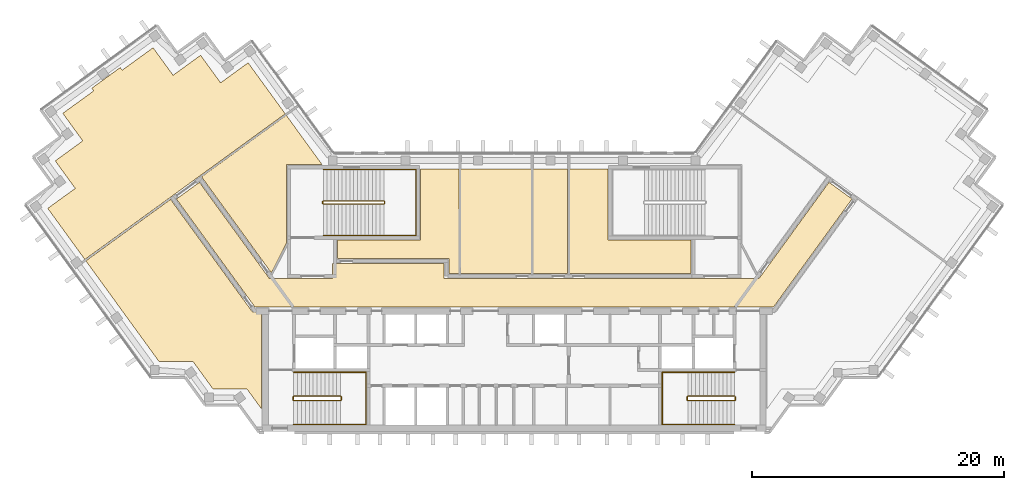
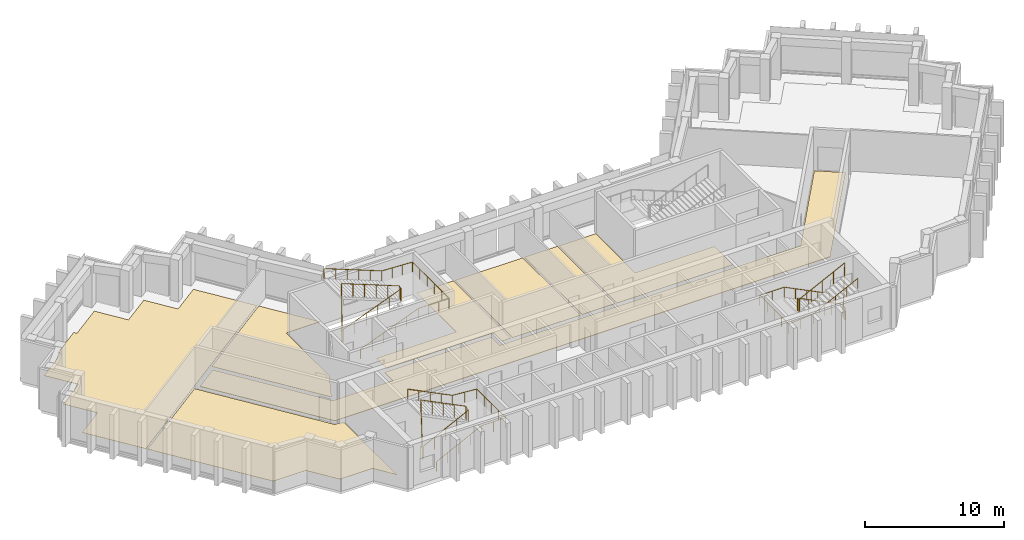
# One storey, part 9 of 10: 8 coverings, 6 railings.
"""IFC4 building model written with IfcOpenShell, lengths in metres."""

from ifc_helpers import new_model, si_unit, direction, frame, origin, origin_2d, place, context, subcontext, project, spatial, polyline, circle, outline, extrude, material, layer, layer_set, type_object, element, save


model = new_model("IFC4")

# Units and contexts
model_context = context("Model", 3, precision=1e-05, world=origin(), true_north=direction((0.0, 1.0)))
body_context = subcontext(model_context, "Body", "Model", "MODEL_VIEW")
ifc_project = project(units=[si_unit("LENGTHUNIT", "METRE"), si_unit("AREAUNIT", "SQUARE_METRE"), si_unit("VOLUMEUNIT", "CUBIC_METRE"), si_unit("PLANEANGLEUNIT", "RADIAN"), si_unit("MASSUNIT", "GRAM", prefix="KILO")], contexts=[model_context])

# Site, building, storey
site_placement = place(None, origin())
site = spatial("IfcSite", under=ifc_project, at=site_placement, CompositionType="ELEMENT")
building_placement = place(site_placement, origin())
building = spatial("IfcBuilding", under=site, at=building_placement, Name="Quipu Civic Tower", CompositionType="ELEMENT")
storey_placement = place(building_placement, frame((0.0, 0.0, 253.0)))
storey = spatial("IfcBuildingStorey", under=building, at=storey_placement, Name="L59", CompositionType="ELEMENT", Elevation=253.0)

# Coverings
ifc_material_1 = material(Name="Carpet tile on raised access floor")
ifc_layer_1 = layer(ifc_material_1, 0.02001953125)
ifc_layer_set_1 = layer_set([ifc_layer_1], Name="Carpet tile on raised access floor")
covering_type_1 = type_object("IfcCoveringType", Name="Carpet tile floor finish 20", PredefinedType="FLOORING", material=ifc_layer_set_1)
covering_1_placement = place(storey_placement, origin())
element("IfcCovering", 1, at=covering_1_placement, inside=storey, type_object=covering_type_1, Name="Carpet tile floor finish 20", PredefinedType="FLOORING", context=body_context, shape_type="SweptSolid", body=[
    extrude(outline(polyline([(-24.81201171875, 9.2109375), (-18.089111328125, 14.093994140625), (-15.238037109375, 10.169921875), (-18.070068359375, 10.1689453125), (-18.070068359375, 3.94189453125), (-19.27197265625, 1.583984375), (-24.81201171875, 9.2109375)])), origin(), (0.0, 0.0, 1.0), 0.02001953125),
])
covering_2_placement = place(storey_placement, origin())
element("IfcCovering", 2, at=covering_2_placement, inside=storey, type_object=covering_type_1, Name="Carpet tile floor finish 20", PredefinedType="FLOORING", context=body_context, shape_type="SweptSolid", body=[
    extrude(outline(polyline([(-4.2490234375, 9.830078125), (1.368896484375, 9.830078125), (1.368896484375, 1.52001953125), (-4.2490234375, 1.52001953125), (-4.2490234375, 9.830078125)])), origin(), (0.0, 0.0, 1.0), 0.02001953125),
])
covering_3_placement = place(storey_placement, origin())
element("IfcCovering", 3, at=covering_3_placement, inside=storey, type_object=covering_type_1, Name="Carpet tile floor finish 20", PredefinedType="FLOORING", context=body_context, shape_type="SweptSolid", body=[
    extrude(outline(polyline([(-37.02197265625, 6.7060546875), (-34.839111328125, 8.291015625), (-36.425048828125, 10.47607421875), (-34.240966796875, 12.06396484375), (-35.826904296875, 14.248046875), (-33.3701171875, 16.032958984375), (-33.52197265625, 16.2451171875), (-31.27099609375, 17.8798828125), (-31.116943359375, 17.6708984375), (-28.658935546875, 19.455078125), (-27.073974609375, 17.27197265625), (-24.887939453125, 18.85791015625), (-23.301025390625, 16.675048828125), (-21.116943359375, 18.260986328125), (-18.172119140625, 14.20703125), (-34.077880859375, 2.652099609375), (-37.02197265625, 6.7060546875)])), origin(), (0.0, 0.0, 1.0), 0.02001953125),
])
covering_4_placement = place(storey_placement, origin())
element("IfcCovering", 4, at=covering_4_placement, inside=storey, type_object=covering_type_1, Name="Carpet tile floor finish 20", PredefinedType="FLOORING", context=body_context, shape_type="SweptSolid", body=[
    extrude(outline(polyline([(-14.030029296875, 2.719970703125), (-14.030029296875, 4.179931640625), (-7.430908203125, 4.179931640625), (-7.429931640625, 9.830078125), (-4.388916015625, 9.830078125), (-4.388916015625, 1.52001953125), (-5.179931640625, 1.52001953125), (-5.181884765625, 2.719970703125), (-14.030029296875, 2.719970703125)])), origin(), (0.0, 0.0, 1.0), 0.02001953125),
])
covering_5_placement = place(storey_placement, origin())
element("IfcCovering", 5, at=covering_5_placement, inside=storey, type_object=covering_type_1, Name="Carpet tile floor finish 20", PredefinedType="FLOORING", context=body_context, shape_type="SweptSolid", body=[
    extrude(outline(polyline([(4.388916015625, 1.52001953125), (4.388916015625, 9.830078125), (7.429931640625, 9.830078125), (7.430908203125, 4.179931640625), (14.030029296875, 4.179931640625), (14.030029296875, 1.52001953125), (4.388916015625, 1.52001953125)])), origin(), (0.0, 0.0, 1.0), 0.02001953125),
])
covering_6_placement = place(storey_placement, origin())
element("IfcCovering", 6, at=covering_6_placement, inside=storey, type_object=covering_type_1, Name="Carpet tile floor finish 20", PredefinedType="FLOORING", context=body_context, shape_type="SweptSolid", body=[
    extrude(outline(polyline([(-33.9951171875, 2.5390625), (-27.27197265625, 7.423095703125), (-20.77490234375, -1.51904296875), (-20.070068359375, -1.52001953125), (-20.070068359375, -9.195068359375), (-21.196044921875, -7.64599609375), (-23.89501953125, -7.64599609375), (-25.48193359375, -5.4619140625), (-28.181884765625, -5.4609375), (-33.9951171875, 2.5390625)])), origin(), (0.0, 0.0, 1.0), 0.02001953125),
])
ifc_material_2 = material(Name="Ceramic floor tile")
ifc_layer_2 = layer(ifc_material_2, 0.030029296875)
ifc_layer_set_2 = layer_set([ifc_layer_2], Name="Ceramic floor tile")
covering_type_2 = type_object("IfcCoveringType", Name="Ceramic tile floor finish 30", PredefinedType="FLOORING", material=ifc_layer_set_2)
covering_7_placement = place(storey_placement, origin())
element("IfcCovering", 7, at=covering_7_placement, inside=storey, type_object=covering_type_2, Name="Ceramic tile floor finish 30", PredefinedType="FLOORING", context=body_context, shape_type="SweptSolid", body=[
    extrude(outline(polyline([(1.510009765625, 1.52001953125), (1.510009765625, 9.830078125), (4.2490234375, 9.830078125), (4.2490234375, 1.52001953125), (1.510009765625, 1.52001953125)])), origin(), (0.0, 0.0, 1.0), 0.030029296875),
])

# Railings
ifc_material_3 = material(Name="Stainless steel", Category="steel")
railing_type_1 = type_object("IfcRailingType", Name="Stair guard 1100", PredefinedType="GUARDRAIL", material=ifc_material_3)
railing_1_placement = place(storey_placement, frame((-17.5, -8.550048828125, 0.15380859375)))
element("IfcRailing", 8, at=railing_1_placement, inside=storey, type_object=railing_type_1, Name="Stair 1 guard", PredefinedType="GUARDRAIL", context=body_context, shape_type="SweptSolid", body=[
    extrude(circle(Radius=0.02392578125, at=origin_2d()), frame((0.0, 0.0, 1.076171875), z_axis=(0.895751851347, 0.0, 0.444554407028), x_axis=(0.0, 1.0, 0.0)), (0.0, 0.0, 1.0), 4.15283203125),
    extrude(circle(Radius=0.02392578125, at=origin_2d()), frame((3.719970703125, 0.0, 2.92236328125), z_axis=(0.707106781187, 0.707106781187, 0.0), x_axis=(-0.707106781187, 0.707106781187, 0.0)), (0.0, 0.0, 1.0), 0.07080078125),
    extrude(circle(Radius=0.02392578125, at=origin_2d()), frame((3.77001953125, 0.050048828125, 2.92236328125), z_axis=(0.0, 1.0, 0.0), x_axis=(-1.0, 0.0, 0.0)), (0.0, 0.0, 1.0), 0.25),
    extrude(circle(Radius=0.02392578125, at=origin_2d()), frame((3.77001953125, 0.300048828125, 2.92236328125), z_axis=(-0.295599637079, 0.295599637079, 0.908428152975), x_axis=(-0.707106781187, -0.707106781187, 0.0)), (0.0, 0.0, 1.0), 0.16943359375),
    extrude(circle(Radius=0.02392578125, at=origin_2d()), frame((3.719970703125, 0.35009765625, 3.076171875), z_axis=(-0.895751851347, 0.0, 0.444554407028), x_axis=(0.0, -1.0, 0.0)), (0.0, 0.0, 1.0), 4.15283203125),
    extrude(circle(Radius=0.02392578125, at=origin_2d()), frame((0.0, 0.35009765625, 4.92236328125), z_axis=(-0.012476181752, -0.074796231092, -0.997120789425), x_axis=(0.986372223864, -0.164529134168, 0.0)), (0.0, 0.0, 1.0), 4.011474609375),
    extrude(circle(Radius=0.02392578125, at=origin_2d()), frame((-0.050048828125, 0.050048828125, 0.92236328125), z_axis=(0.0, 1.0, 0.0), x_axis=(-1.0, 0.0, 0.0)), (0.0, 0.0, 1.0), 0.25),
    extrude(circle(Radius=0.02099609375, at=origin_2d()), origin(), (0.0, 0.0, 1.0), 1.052001953125),
    extrude(circle(Radius=0.02099609375, at=origin_2d()), frame((0.929931640625, 0.0, 0.46142578125)), (0.0, 0.0, 1.0), 1.052001953125),
    extrude(circle(Radius=0.02099609375, at=origin_2d()), frame((1.85986328125, 0.0, 0.923095703125)), (0.0, 0.0, 1.0), 1.052001953125),
    extrude(circle(Radius=0.02099609375, at=origin_2d()), frame((2.7900390625, 0.0, 1.384765625)), (0.0, 0.0, 1.0), 1.052001953125),
    extrude(circle(Radius=0.02099609375, at=origin_2d()), frame((3.719970703125, 0.0, 1.84619140625)), (0.0, 0.0, 1.0), 1.052001953125),
    extrude(circle(Radius=0.02099609375, at=origin_2d()), frame((3.77001953125, 0.050048828125, 1.84619140625)), (0.0, 0.0, 1.0), 1.052001953125),
    extrude(circle(Radius=0.02099609375, at=origin_2d()), frame((3.77001953125, 0.300048828125, 1.84619140625)), (0.0, 0.0, 1.0), 1.052001953125),
    extrude(circle(Radius=0.02099609375, at=origin_2d()), frame((3.719970703125, 0.35009765625, 2.0)), (0.0, 0.0, 1.0), 1.052001953125),
    extrude(circle(Radius=0.02099609375, at=origin_2d()), frame((2.7900390625, 0.35009765625, 2.46142578125)), (0.0, 0.0, 1.0), 1.052001953125),
    extrude(circle(Radius=0.02099609375, at=origin_2d()), frame((1.85986328125, 0.35009765625, 2.923095703125)), (0.0, 0.0, 1.0), 1.052001953125),
    extrude(circle(Radius=0.02099609375, at=origin_2d()), frame((0.929931640625, 0.35009765625, 3.384765625)), (0.0, 0.0, 1.0), 1.052001953125),
    extrude(circle(Radius=0.02099609375, at=origin_2d()), frame((0.0, 0.35009765625, 3.84619140625)), (0.0, 0.0, 1.0), 1.052001953125),
    extrude(circle(Radius=0.02099609375, at=origin_2d()), frame((-0.012451171875, 0.275146484375, 2.84619140625)), (0.0, 0.0, 1.0), 1.052001953125),
    extrude(circle(Radius=0.02099609375, at=origin_2d()), frame((-0.02490234375, 0.2001953125, 1.84619140625)), (0.0, 0.0, 1.0), 1.052001953125),
    extrude(circle(Radius=0.02099609375, at=origin_2d()), frame((-0.03759765625, 0.125, 0.84619140625)), (0.0, 0.0, 1.0), 1.052001953125),
    extrude(circle(Radius=0.02099609375, at=origin_2d()), frame((-0.050048828125, 0.050048828125, -0.15380859375)), (0.0, 0.0, 1.0), 1.052001953125),
    extrude(circle(Radius=0.02099609375, at=origin_2d()), frame((-0.050048828125, 0.300048828125, -0.15380859375)), (0.0, 0.0, 1.0), 1.052001953125),
])
railing_2_placement = place(storey_placement, frame((17.5, -8.199951171875, 0.15380859375)))
element("IfcRailing", 9, at=railing_2_placement, inside=storey, type_object=railing_type_1, Name="Stair 2 guard", PredefinedType="GUARDRAIL", context=body_context, shape_type="SweptSolid", body=[
    extrude(circle(Radius=0.02392578125, at=origin_2d()), frame((0.0, 0.0, 1.076171875), z_axis=(-0.895751851347, 0.0, 0.444554407028), x_axis=(0.0, -1.0, 0.0)), (0.0, 0.0, 1.0), 4.15283203125),
    extrude(circle(Radius=0.02392578125, at=origin_2d()), frame((-3.719970703125, 0.0, 2.92236328125), z_axis=(-0.707106781187, -0.707106781187, 0.0), x_axis=(0.707106781187, -0.707106781187, 0.0)), (0.0, 0.0, 1.0), 0.07080078125),
    extrude(circle(Radius=0.02392578125, at=origin_2d()), frame((-3.77001953125, -0.050048828125, 2.92236328125), z_axis=(0.0, -1.0, 0.0), x_axis=(1.0, 0.0, 0.0)), (0.0, 0.0, 1.0), 0.25),
    extrude(circle(Radius=0.02392578125, at=origin_2d()), frame((-3.77001953125, -0.300048828125, 2.92236328125), z_axis=(0.295599637079, -0.295599637079, 0.908428152975), x_axis=(0.707106781187, 0.707106781187, 0.0)), (0.0, 0.0, 1.0), 0.16943359375),
    extrude(circle(Radius=0.02392578125, at=origin_2d()), frame((-3.719970703125, -0.35009765625, 3.076171875), z_axis=(0.895751851347, 0.0, 0.444554407028), x_axis=(0.0, 1.0, 0.0)), (0.0, 0.0, 1.0), 4.15283203125),
    extrude(circle(Radius=0.02392578125, at=origin_2d()), frame((0.0, -0.35009765625, 4.92236328125), z_axis=(0.012476181752, 0.074796231092, -0.997120789425), x_axis=(-0.986372223864, 0.164529134168, 0.0)), (0.0, 0.0, 1.0), 4.011474609375),
    extrude(circle(Radius=0.02392578125, at=origin_2d()), frame((0.050048828125, -0.050048828125, 0.92236328125), z_axis=(0.0, -1.0, 0.0), x_axis=(1.0, 0.0, 0.0)), (0.0, 0.0, 1.0), 0.25),
    extrude(circle(Radius=0.02099609375, at=origin_2d()), origin(), (0.0, 0.0, 1.0), 1.052001953125),
    extrude(circle(Radius=0.02099609375, at=origin_2d()), frame((-0.929931640625, 0.0, 0.46142578125)), (0.0, 0.0, 1.0), 1.052001953125),
    extrude(circle(Radius=0.02099609375, at=origin_2d()), frame((-1.85986328125, 0.0, 0.923095703125)), (0.0, 0.0, 1.0), 1.052001953125),
    extrude(circle(Radius=0.02099609375, at=origin_2d()), frame((-2.7900390625, 0.0, 1.384765625)), (0.0, 0.0, 1.0), 1.052001953125),
    extrude(circle(Radius=0.02099609375, at=origin_2d()), frame((-3.719970703125, 0.0, 1.84619140625)), (0.0, 0.0, 1.0), 1.052001953125),
    extrude(circle(Radius=0.02099609375, at=origin_2d()), frame((-3.77001953125, -0.050048828125, 1.84619140625)), (0.0, 0.0, 1.0), 1.052001953125),
    extrude(circle(Radius=0.02099609375, at=origin_2d()), frame((-3.77001953125, -0.300048828125, 1.84619140625)), (0.0, 0.0, 1.0), 1.052001953125),
    extrude(circle(Radius=0.02099609375, at=origin_2d()), frame((-3.719970703125, -0.35009765625, 2.0)), (0.0, 0.0, 1.0), 1.052001953125),
    extrude(circle(Radius=0.02099609375, at=origin_2d()), frame((-2.7900390625, -0.35009765625, 2.46142578125)), (0.0, 0.0, 1.0), 1.052001953125),
    extrude(circle(Radius=0.02099609375, at=origin_2d()), frame((-1.85986328125, -0.35009765625, 2.923095703125)), (0.0, 0.0, 1.0), 1.052001953125),
    extrude(circle(Radius=0.02099609375, at=origin_2d()), frame((-0.929931640625, -0.35009765625, 3.384765625)), (0.0, 0.0, 1.0), 1.052001953125),
    extrude(circle(Radius=0.02099609375, at=origin_2d()), frame((0.0, -0.35009765625, 3.84619140625)), (0.0, 0.0, 1.0), 1.052001953125),
    extrude(circle(Radius=0.02099609375, at=origin_2d()), frame((0.012451171875, -0.275146484375, 2.84619140625)), (0.0, 0.0, 1.0), 1.052001953125),
    extrude(circle(Radius=0.02099609375, at=origin_2d()), frame((0.02490234375, -0.2001953125, 1.84619140625)), (0.0, 0.0, 1.0), 1.052001953125),
    extrude(circle(Radius=0.02099609375, at=origin_2d()), frame((0.03759765625, -0.125, 0.84619140625)), (0.0, 0.0, 1.0), 1.052001953125),
    extrude(circle(Radius=0.02099609375, at=origin_2d()), frame((0.050048828125, -0.050048828125, -0.15380859375)), (0.0, 0.0, 1.0), 1.052001953125),
    extrude(circle(Radius=0.02099609375, at=origin_2d()), frame((0.050048828125, -0.300048828125, -0.15380859375)), (0.0, 0.0, 1.0), 1.052001953125),
])
railing_3_placement = place(storey_placement, frame((-15.14990234375, 7.050048828125, 0.11767578125)))
element("IfcRailing", 10, at=railing_3_placement, inside=storey, type_object=railing_type_1, Name="Stair 3 guard", PredefinedType="GUARDRAIL", context=body_context, shape_type="SweptSolid", body=[
    extrude(circle(Radius=0.02392578125, at=origin_2d()), frame((0.0, 0.0, 1.076171875), z_axis=(0.930970042603, 0.0, 0.365095576219), x_axis=(0.0, 1.0, 0.0)), (0.0, 0.0, 1.0), 5.15576171875),
    extrude(circle(Radius=0.02392578125, at=origin_2d()), frame((4.7998046875, 0.0, 2.95849609375), z_axis=(0.707106781187, 0.707106781187, 0.0), x_axis=(-0.707106781187, 0.707106781187, 0.0)), (0.0, 0.0, 1.0), 0.07080078125),
    extrude(circle(Radius=0.02392578125, at=origin_2d()), frame((4.849853515625, 0.050048828125, 2.95849609375), z_axis=(0.0, 1.0, 0.0), x_axis=(-1.0, 0.0, 0.0)), (0.0, 0.0, 1.0), 0.14990234375),
    extrude(circle(Radius=0.02392578125, at=origin_2d()), frame((4.849853515625, 0.199951171875, 2.95849609375), z_axis=(-0.364463019033, 0.364463019033, 0.856932561824), x_axis=(-0.707106781187, -0.707106781187, 0.0)), (0.0, 0.0, 1.0), 0.13720703125),
    extrude(circle(Radius=0.02392578125, at=origin_2d()), frame((4.7998046875, 0.25, 3.076171875), z_axis=(-0.930970042603, 0.0, 0.365095576219), x_axis=(0.0, -1.0, 0.0)), (0.0, 0.0, 1.0), 5.15576171875),
    extrude(circle(Radius=0.02392578125, at=origin_2d()), frame((0.0, 0.25, 4.95849609375), z_axis=(-0.012495627992, -0.049921557685, -0.998674970829), x_axis=(0.970072785993, -0.242814311512, 0.0)), (0.0, 0.0, 1.0), 4.00537109375),
    extrude(circle(Radius=0.02392578125, at=origin_2d()), frame((-0.050048828125, 0.050048828125, 0.95849609375), z_axis=(0.0, 1.0, 0.0), x_axis=(-1.0, 0.0, 0.0)), (0.0, 0.0, 1.0), 0.14990234375),
    extrude(circle(Radius=0.02099609375, at=origin_2d()), origin(), (0.0, 0.0, 1.0), 1.052001953125),
    extrude(circle(Radius=0.02099609375, at=origin_2d()), frame((0.9599609375, 0.0, 0.37646484375)), (0.0, 0.0, 1.0), 1.052001953125),
    extrude(circle(Radius=0.02099609375, at=origin_2d()), frame((1.919921875, 0.0, 0.7529296875)), (0.0, 0.0, 1.0), 1.052001953125),
    extrude(circle(Radius=0.02099609375, at=origin_2d()), frame((2.8798828125, 0.0, 1.12939453125)), (0.0, 0.0, 1.0), 1.052001953125),
    extrude(circle(Radius=0.02099609375, at=origin_2d()), frame((3.83984375, 0.0, 1.505859375)), (0.0, 0.0, 1.0), 1.052001953125),
    extrude(circle(Radius=0.02099609375, at=origin_2d()), frame((4.7998046875, 0.0, 1.88232421875)), (0.0, 0.0, 1.0), 1.052001953125),
    extrude(circle(Radius=0.02099609375, at=origin_2d()), frame((4.849853515625, 0.050048828125, 1.88232421875)), (0.0, 0.0, 1.0), 1.052001953125),
    extrude(circle(Radius=0.02099609375, at=origin_2d()), frame((4.849853515625, 0.199951171875, 1.88232421875)), (0.0, 0.0, 1.0), 1.052001953125),
    extrude(circle(Radius=0.02099609375, at=origin_2d()), frame((4.7998046875, 0.25, 2.0)), (0.0, 0.0, 1.0), 1.052001953125),
    extrude(circle(Radius=0.02099609375, at=origin_2d()), frame((3.83984375, 0.25, 2.37646484375)), (0.0, 0.0, 1.0), 1.052001953125),
    extrude(circle(Radius=0.02099609375, at=origin_2d()), frame((2.8798828125, 0.25, 2.7529296875)), (0.0, 0.0, 1.0), 1.052001953125),
    extrude(circle(Radius=0.02099609375, at=origin_2d()), frame((1.919921875, 0.25, 3.12939453125)), (0.0, 0.0, 1.0), 1.052001953125),
    extrude(circle(Radius=0.02099609375, at=origin_2d()), frame((0.9599609375, 0.25, 3.505859375)), (0.0, 0.0, 1.0), 1.052001953125),
    extrude(circle(Radius=0.02099609375, at=origin_2d()), frame((0.0, 0.25, 3.88232421875)), (0.0, 0.0, 1.0), 1.052001953125),
    extrude(circle(Radius=0.02099609375, at=origin_2d()), frame((-0.012451171875, 0.199951171875, 2.88232421875)), (0.0, 0.0, 1.0), 1.052001953125),
    extrude(circle(Radius=0.02099609375, at=origin_2d()), frame((-0.02490234375, 0.14990234375, 1.88232421875)), (0.0, 0.0, 1.0), 1.052001953125),
    extrude(circle(Radius=0.02099609375, at=origin_2d()), frame((-0.03759765625, 0.10009765625, 0.88232421875)), (0.0, 0.0, 1.0), 1.052001953125),
    extrude(circle(Radius=0.02099609375, at=origin_2d()), frame((-0.050048828125, 0.050048828125, -0.11767578125)), (0.0, 0.0, 1.0), 1.052001953125),
    extrude(circle(Radius=0.02099609375, at=origin_2d()), frame((-0.050048828125, 0.199951171875, -0.11767578125)), (0.0, 0.0, 1.0), 1.052001953125),
])
ifc_material_4 = material(Name="Stainless steel", Category="steel")
railing_type_2 = type_object("IfcRailingType", Name="Stair handrail", PredefinedType="HANDRAIL", material=ifc_material_4)
railing_4_placement = place(storey_placement, frame((-17.5, -10.449951171875, 0.15380859375)))
element("IfcRailing", 11, at=railing_4_placement, inside=storey, type_object=railing_type_2, Name="Stair 1 handrail", PredefinedType="HANDRAIL", context=body_context, shape_type="SweptSolid", body=[
    extrude(circle(Radius=0.02392578125, at=origin_2d()), frame((0.0, 0.0, 0.8759765625), z_axis=(0.895751851347, 0.0, 0.444554407028), x_axis=(0.0, 1.0, 0.0)), (0.0, 0.0, 1.0), 4.15283203125),
    extrude(circle(Radius=0.02392578125, at=origin_2d()), frame((3.719970703125, 0.0, 2.72216796875), z_axis=(1.0, 0.0, 0.0), x_axis=(0.0, 1.0, 0.0)), (0.0, 0.0, 1.0), 2.030029296875),
    extrude(circle(Radius=0.02392578125, at=origin_2d()), frame((5.75, 0.0, 2.72216796875), z_axis=(0.0, 1.0, 0.0), x_axis=(-1.0, 0.0, 0.0)), (0.0, 0.0, 1.0), 4.14990234375),
    extrude(circle(Radius=0.02392578125, at=origin_2d()), frame((5.75, 4.14990234375, 2.72216796875), z_axis=(-0.997142003663, 0.0, 0.075550145798), x_axis=(0.0, -1.0, 0.0)), (0.0, 0.0, 1.0), 2.035888671875),
    extrude(circle(Radius=0.02392578125, at=origin_2d()), frame((3.719970703125, 4.14990234375, 2.8759765625), z_axis=(-0.895751851347, 0.0, 0.444554407028), x_axis=(0.0, -1.0, 0.0)), (0.0, 0.0, 1.0), 4.15283203125),
    extrude(circle(Radius=0.02099609375, at=origin_2d()), origin(), (0.0, 0.0, 1.0), 0.851806640625),
    extrude(circle(Radius=0.02099609375, at=origin_2d()), frame((0.929931640625, 0.0, 0.46142578125)), (0.0, 0.0, 1.0), 0.851806640625),
    extrude(circle(Radius=0.02099609375, at=origin_2d()), frame((1.85986328125, 0.0, 0.923095703125)), (0.0, 0.0, 1.0), 0.851806640625),
    extrude(circle(Radius=0.02099609375, at=origin_2d()), frame((2.7900390625, 0.0, 1.384765625)), (0.0, 0.0, 1.0), 0.851806640625),
    extrude(circle(Radius=0.02099609375, at=origin_2d()), frame((3.719970703125, 0.0, 1.84619140625)), (0.0, 0.0, 1.0), 0.851806640625),
    extrude(circle(Radius=0.02099609375, at=origin_2d()), frame((4.73486328125, 0.0, 1.84619140625)), (0.0, 0.0, 1.0), 0.851806640625),
    extrude(circle(Radius=0.02099609375, at=origin_2d()), frame((5.75, 0.0, 1.84619140625)), (0.0, 0.0, 1.0), 0.851806640625),
    extrude(circle(Radius=0.02099609375, at=origin_2d()), frame((5.75, 1.03759765625, 1.84619140625)), (0.0, 0.0, 1.0), 0.851806640625),
    extrude(circle(Radius=0.02099609375, at=origin_2d()), frame((5.75, 2.074951171875, 1.84619140625)), (0.0, 0.0, 1.0), 0.851806640625),
    extrude(circle(Radius=0.02099609375, at=origin_2d()), frame((5.75, 3.1123046875, 1.84619140625)), (0.0, 0.0, 1.0), 0.851806640625),
    extrude(circle(Radius=0.02099609375, at=origin_2d()), frame((5.75, 4.14990234375, 1.84619140625)), (0.0, 0.0, 1.0), 0.851806640625),
    extrude(circle(Radius=0.02099609375, at=origin_2d()), frame((4.73486328125, 4.14990234375, 1.923095703125)), (0.0, 0.0, 1.0), 0.851806640625),
    extrude(circle(Radius=0.02099609375, at=origin_2d()), frame((3.719970703125, 4.14990234375, 2.0)), (0.0, 0.0, 1.0), 0.851806640625),
    extrude(circle(Radius=0.02099609375, at=origin_2d()), frame((2.7900390625, 4.14990234375, 2.46142578125)), (0.0, 0.0, 1.0), 0.851806640625),
    extrude(circle(Radius=0.02099609375, at=origin_2d()), frame((1.85986328125, 4.14990234375, 2.923095703125)), (0.0, 0.0, 1.0), 0.851806640625),
    extrude(circle(Radius=0.02099609375, at=origin_2d()), frame((0.929931640625, 4.14990234375, 3.384765625)), (0.0, 0.0, 1.0), 0.851806640625),
    extrude(circle(Radius=0.02099609375, at=origin_2d()), frame((0.0, 4.14990234375, 3.84619140625)), (0.0, 0.0, 1.0), 0.851806640625),
])
railing_5_placement = place(storey_placement, frame((17.5, -6.300048828125, 0.15380859375)))
element("IfcRailing", 12, at=railing_5_placement, inside=storey, type_object=railing_type_2, Name="Stair 2 handrail", PredefinedType="HANDRAIL", context=body_context, shape_type="SweptSolid", body=[
    extrude(circle(Radius=0.02392578125, at=origin_2d()), frame((0.0, 0.0, 0.8759765625), z_axis=(-0.895751851347, 0.0, 0.444554407028), x_axis=(0.0, -1.0, 0.0)), (0.0, 0.0, 1.0), 4.15283203125),
    extrude(circle(Radius=0.02392578125, at=origin_2d()), frame((-3.719970703125, 0.0, 2.72216796875), z_axis=(-1.0, 0.0, 0.0), x_axis=(0.0, -1.0, 0.0)), (0.0, 0.0, 1.0), 2.030029296875),
    extrude(circle(Radius=0.02392578125, at=origin_2d()), frame((-5.75, 0.0, 2.72216796875), z_axis=(0.0, -1.0, 0.0), x_axis=(1.0, 0.0, 0.0)), (0.0, 0.0, 1.0), 4.14990234375),
    extrude(circle(Radius=0.02392578125, at=origin_2d()), frame((-5.75, -4.14990234375, 2.72216796875), z_axis=(0.997142003663, 0.0, 0.075550145798), x_axis=(0.0, 1.0, 0.0)), (0.0, 0.0, 1.0), 2.035888671875),
    extrude(circle(Radius=0.02392578125, at=origin_2d()), frame((-3.719970703125, -4.14990234375, 2.8759765625), z_axis=(0.895751851347, 0.0, 0.444554407028), x_axis=(0.0, 1.0, 0.0)), (0.0, 0.0, 1.0), 4.15283203125),
    extrude(circle(Radius=0.02099609375, at=origin_2d()), origin(), (0.0, 0.0, 1.0), 0.851806640625),
    extrude(circle(Radius=0.02099609375, at=origin_2d()), frame((-0.929931640625, 0.0, 0.46142578125)), (0.0, 0.0, 1.0), 0.851806640625),
    extrude(circle(Radius=0.02099609375, at=origin_2d()), frame((-1.85986328125, 0.0, 0.923095703125)), (0.0, 0.0, 1.0), 0.851806640625),
    extrude(circle(Radius=0.02099609375, at=origin_2d()), frame((-2.7900390625, 0.0, 1.384765625)), (0.0, 0.0, 1.0), 0.851806640625),
    extrude(circle(Radius=0.02099609375, at=origin_2d()), frame((-3.719970703125, 0.0, 1.84619140625)), (0.0, 0.0, 1.0), 0.851806640625),
    extrude(circle(Radius=0.02099609375, at=origin_2d()), frame((-4.73486328125, 0.0, 1.84619140625)), (0.0, 0.0, 1.0), 0.851806640625),
    extrude(circle(Radius=0.02099609375, at=origin_2d()), frame((-5.75, 0.0, 1.84619140625)), (0.0, 0.0, 1.0), 0.851806640625),
    extrude(circle(Radius=0.02099609375, at=origin_2d()), frame((-5.75, -1.03759765625, 1.84619140625)), (0.0, 0.0, 1.0), 0.851806640625),
    extrude(circle(Radius=0.02099609375, at=origin_2d()), frame((-5.75, -2.074951171875, 1.84619140625)), (0.0, 0.0, 1.0), 0.851806640625),
    extrude(circle(Radius=0.02099609375, at=origin_2d()), frame((-5.75, -3.1123046875, 1.84619140625)), (0.0, 0.0, 1.0), 0.851806640625),
    extrude(circle(Radius=0.02099609375, at=origin_2d()), frame((-5.75, -4.14990234375, 1.84619140625)), (0.0, 0.0, 1.0), 0.851806640625),
    extrude(circle(Radius=0.02099609375, at=origin_2d()), frame((-4.73486328125, -4.14990234375, 1.923095703125)), (0.0, 0.0, 1.0), 0.851806640625),
    extrude(circle(Radius=0.02099609375, at=origin_2d()), frame((-3.719970703125, -4.14990234375, 2.0)), (0.0, 0.0, 1.0), 0.851806640625),
    extrude(circle(Radius=0.02099609375, at=origin_2d()), frame((-2.7900390625, -4.14990234375, 2.46142578125)), (0.0, 0.0, 1.0), 0.851806640625),
    extrude(circle(Radius=0.02099609375, at=origin_2d()), frame((-1.85986328125, -4.14990234375, 2.923095703125)), (0.0, 0.0, 1.0), 0.851806640625),
    extrude(circle(Radius=0.02099609375, at=origin_2d()), frame((-0.929931640625, -4.14990234375, 3.384765625)), (0.0, 0.0, 1.0), 0.851806640625),
    extrude(circle(Radius=0.02099609375, at=origin_2d()), frame((0.0, -4.14990234375, 3.84619140625)), (0.0, 0.0, 1.0), 0.851806640625),
])
railing_6_placement = place(storey_placement, frame((-15.14990234375, 4.550048828125, 0.11767578125)))
element("IfcRailing", 13, at=railing_6_placement, inside=storey, type_object=railing_type_2, Name="Stair 3 handrail", PredefinedType="HANDRAIL", context=body_context, shape_type="SweptSolid", body=[
    extrude(circle(Radius=0.02392578125, at=origin_2d()), frame((0.0, 0.0, 0.8759765625), z_axis=(0.930970042603, 0.0, 0.365095576219), x_axis=(0.0, 1.0, 0.0)), (0.0, 0.0, 1.0), 5.15576171875),
    extrude(circle(Radius=0.02392578125, at=origin_2d()), frame((4.7998046875, 0.0, 2.75830078125), z_axis=(1.0, 0.0, 0.0), x_axis=(0.0, 1.0, 0.0)), (0.0, 0.0, 1.0), 2.550048828125),
    extrude(circle(Radius=0.02392578125, at=origin_2d()), frame((7.349853515625, 0.0, 2.75830078125), z_axis=(0.0, 1.0, 0.0), x_axis=(-1.0, 0.0, 0.0)), (0.0, 0.0, 1.0), 5.25),
    extrude(circle(Radius=0.02392578125, at=origin_2d()), frame((7.349853515625, 5.25, 2.75830078125), z_axis=(-0.998936948642, 0.0, 0.04609742549), x_axis=(0.0, -1.0, 0.0)), (0.0, 0.0, 1.0), 2.552734375),
    extrude(circle(Radius=0.02392578125, at=origin_2d()), frame((4.7998046875, 5.25, 2.8759765625), z_axis=(-0.930970042603, 0.0, 0.365095576219), x_axis=(0.0, -1.0, 0.0)), (0.0, 0.0, 1.0), 5.15576171875),
    extrude(circle(Radius=0.02099609375, at=origin_2d()), origin(), (0.0, 0.0, 1.0), 0.851806640625),
    extrude(circle(Radius=0.02099609375, at=origin_2d()), frame((0.9599609375, 0.0, 0.37646484375)), (0.0, 0.0, 1.0), 0.851806640625),
    extrude(circle(Radius=0.02099609375, at=origin_2d()), frame((1.919921875, 0.0, 0.7529296875)), (0.0, 0.0, 1.0), 0.851806640625),
    extrude(circle(Radius=0.02099609375, at=origin_2d()), frame((2.8798828125, 0.0, 1.12939453125)), (0.0, 0.0, 1.0), 0.851806640625),
    extrude(circle(Radius=0.02099609375, at=origin_2d()), frame((3.83984375, 0.0, 1.505859375)), (0.0, 0.0, 1.0), 0.851806640625),
    extrude(circle(Radius=0.02099609375, at=origin_2d()), frame((4.7998046875, 0.0, 1.88232421875)), (0.0, 0.0, 1.0), 0.851806640625),
    extrude(circle(Radius=0.02099609375, at=origin_2d()), frame((5.64990234375, 0.0, 1.88232421875)), (0.0, 0.0, 1.0), 0.851806640625),
    extrude(circle(Radius=0.02099609375, at=origin_2d()), frame((6.499755859375, 0.0, 1.88232421875)), (0.0, 0.0, 1.0), 0.851806640625),
    extrude(circle(Radius=0.02099609375, at=origin_2d()), frame((7.349853515625, 0.0, 1.88232421875)), (0.0, 0.0, 1.0), 0.851806640625),
    extrude(circle(Radius=0.02099609375, at=origin_2d()), frame((7.349853515625, 1.050048828125, 1.88232421875)), (0.0, 0.0, 1.0), 0.851806640625),
    extrude(circle(Radius=0.02099609375, at=origin_2d()), frame((7.349853515625, 2.10009765625, 1.88232421875)), (0.0, 0.0, 1.0), 0.851806640625),
    extrude(circle(Radius=0.02099609375, at=origin_2d()), frame((7.349853515625, 3.14990234375, 1.88232421875)), (0.0, 0.0, 1.0), 0.851806640625),
    extrude(circle(Radius=0.02099609375, at=origin_2d()), frame((7.349853515625, 4.199951171875, 1.88232421875)), (0.0, 0.0, 1.0), 0.851806640625),
    extrude(circle(Radius=0.02099609375, at=origin_2d()), frame((7.349853515625, 5.25, 1.88232421875)), (0.0, 0.0, 1.0), 0.851806640625),
    extrude(circle(Radius=0.02099609375, at=origin_2d()), frame((6.499755859375, 5.25, 1.921630859375)), (0.0, 0.0, 1.0), 0.851806640625),
    extrude(circle(Radius=0.02099609375, at=origin_2d()), frame((5.64990234375, 5.25, 1.960693359375)), (0.0, 0.0, 1.0), 0.851806640625),
    extrude(circle(Radius=0.02099609375, at=origin_2d()), frame((4.7998046875, 5.25, 2.0)), (0.0, 0.0, 1.0), 0.851806640625),
    extrude(circle(Radius=0.02099609375, at=origin_2d()), frame((3.83984375, 5.25, 2.37646484375)), (0.0, 0.0, 1.0), 0.851806640625),
    extrude(circle(Radius=0.02099609375, at=origin_2d()), frame((2.8798828125, 5.25, 2.7529296875)), (0.0, 0.0, 1.0), 0.851806640625),
    extrude(circle(Radius=0.02099609375, at=origin_2d()), frame((1.919921875, 5.25, 3.12939453125)), (0.0, 0.0, 1.0), 0.851806640625),
    extrude(circle(Radius=0.02099609375, at=origin_2d()), frame((0.9599609375, 5.25, 3.505859375)), (0.0, 0.0, 1.0), 0.851806640625),
    extrude(circle(Radius=0.02099609375, at=origin_2d()), frame((0.0, 5.25, 3.88232421875)), (0.0, 0.0, 1.0), 0.851806640625),
])

# Covering
ifc_material_5 = material(Name="Terrazzo floor finish")
ifc_layer_3 = layer(ifc_material_5, 0.0400390625)
ifc_layer_set_3 = layer_set([ifc_layer_3], Name="Terrazzo floor finish")
covering_type_3 = type_object("IfcCoveringType", Name="Terrazzo floor finish 40", PredefinedType="FLOORING", material=ifc_layer_set_3)
covering_8_placement = place(storey_placement, origin())
element("IfcCovering", 14, at=covering_8_placement, inside=storey, type_object=covering_type_3, Name="Terrazzo floor finish 40", PredefinedType="FLOORING", context=body_context, shape_type="SweptSolid", body=[
    extrude(outline(polyline([(19.425048828125, 1.1298828125), (24.98095703125, 8.778076171875), (26.80908203125, 7.450927734375), (20.574951171875, -1.1298828125), (-20.574951171875, -1.1298828125), (-26.80908203125, 7.450927734375), (-24.98095703125, 8.778076171875), (-19.425048828125, 1.1298828125), (-14.429931640625, 1.1298828125), (-14.429931640625, 2.330078125), (-5.570068359375, 2.330078125), (-5.570068359375, 1.1298828125), (19.425048828125, 1.1298828125)])), origin(), (0.0, 0.0, 1.0), 0.0400390625),
])

save(model, "model.ifc")
